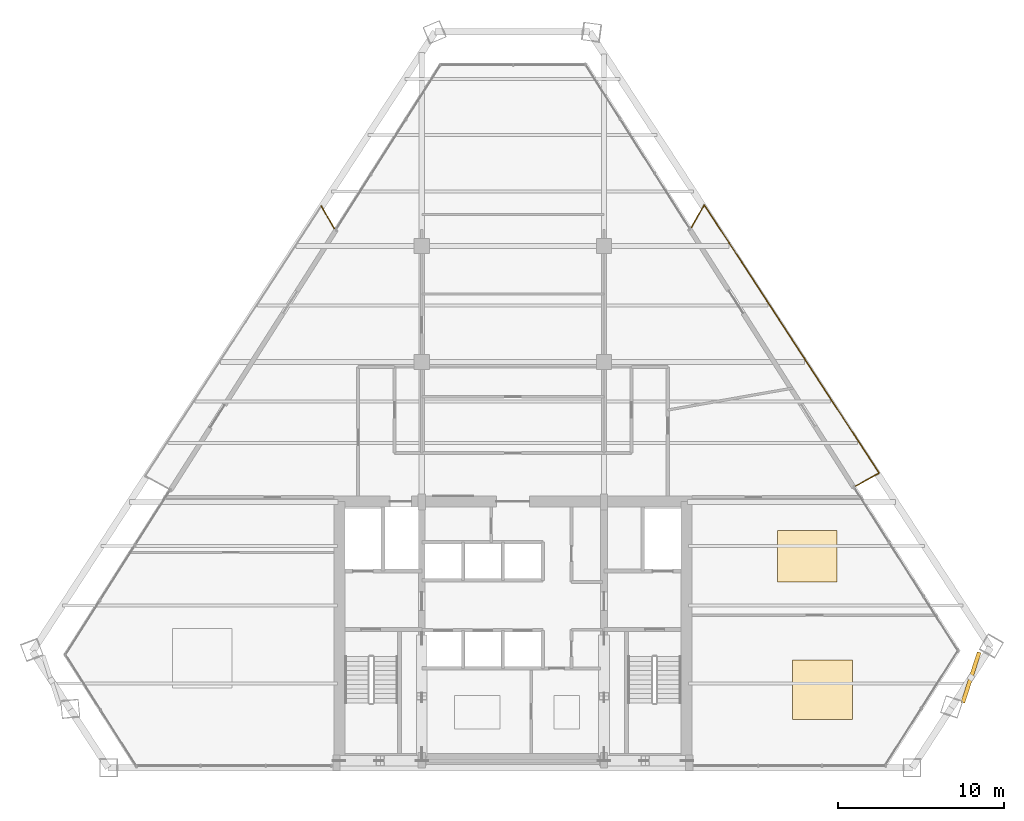
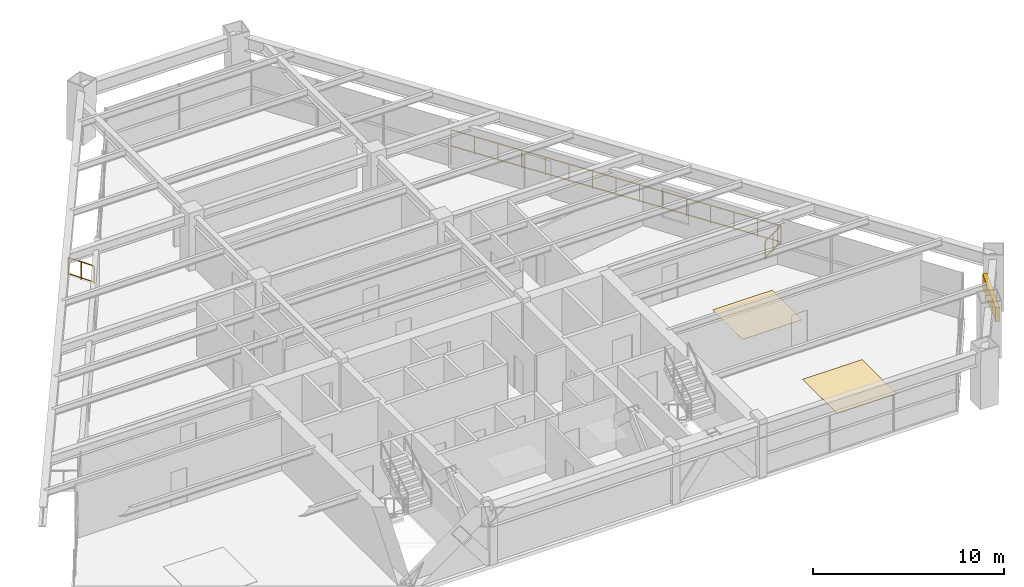
# One storey, part 15 of 15: 4 railings, 2 coverings, 1 shading device.
"""IFC4 building model written with IfcOpenShell, lengths in metres."""

from ifc_helpers import new_model, si_unit, direction, frame, origin, origin_2d, place, context, subcontext, project, spatial, rectangle, extrude, source, transform, mapped, material, layer, layer_set, type_object, type_shapes, element, save


model = new_model("IFC4")

# Units and contexts
model_context = context("Model", 3, precision=1e-05, world=origin(), true_north=direction((0.0, 1.0)))
body_context = subcontext(model_context, "Body", "Model", "MODEL_VIEW")
ifc_project = project(units=[si_unit("LENGTHUNIT", "METRE"), si_unit("AREAUNIT", "SQUARE_METRE"), si_unit("VOLUMEUNIT", "CUBIC_METRE"), si_unit("PLANEANGLEUNIT", "RADIAN"), si_unit("MASSUNIT", "GRAM", prefix="KILO")], contexts=[model_context])

# Site, building, storey
site_placement = place(None, origin())
site = spatial("IfcSite", under=ifc_project, at=site_placement, CompositionType="ELEMENT")
building_placement = place(site_placement, origin())
building = spatial("IfcBuilding", under=site, at=building_placement, Name="Varnakhor Terracotta Tower", CompositionType="ELEMENT")
storey_placement = place(building_placement, frame((0.0, 0.0, 162.60009765625)))
storey = spatial("IfcBuildingStorey", under=building, at=storey_placement, Name="L41", CompositionType="ELEMENT", Elevation=162.60009765625)

# Railings
ifc_material_1 = material(Name="Stainless Steel & Laminated Glass Guardrail", Category="steel")
railing_type = type_object("IfcRailingType", Name="RLG-LOGGIA-GUARD-1150", PredefinedType="GUARDRAIL", material=ifc_material_1)
railing_1_placement = place(storey_placement, frame((10.775634765625, 32.62451171875, 0.0)))
element("IfcRailing", 1, at=railing_1_placement, inside=storey, type_object=railing_type, Name="L41 E Loggia Glass Guard 1", PredefinedType="GUARDRAIL", context=body_context, shape_type="SweptSolid", body=[
    extrude(rectangle(XDim=0.048095703125, YDim=0.048095703125, at=origin_2d()), frame((0.0, 0.0, 1.1259765625), z_axis=(0.496992510097, 0.867754829953, 0.0), x_axis=(-0.867754829953, 0.496992510097, 0.0)), (0.0, 0.0, 1.0), 1.570556640625),
    extrude(rectangle(XDim=0.048095703125, YDim=0.048095703125, at=origin_2d()), frame((0.0, 0.0, 0.10009765625), z_axis=(0.496992510097, 0.867754829953, 0.0), x_axis=(-0.867754829953, 0.496992510097, 0.0)), (0.0, 0.0, 1.0), 1.570556640625),
    extrude(rectangle(XDim=0.0419921875, YDim=0.0419921875, at=origin_2d()), origin(), (0.0, 0.0, 1.0), 1.101806640625),
    extrude(rectangle(XDim=0.0419921875, YDim=0.0419921875, at=origin_2d()), frame((0.39013671875, 0.681396484375, 0.0)), (0.0, 0.0, 1.0), 1.101806640625),
    extrude(rectangle(XDim=0.0419921875, YDim=0.0419921875, at=origin_2d()), frame((0.780517578125, 1.36279296875, 0.0)), (0.0, 0.0, 1.0), 1.101806640625),
])
railing_2_placement = place(storey_placement, frame((11.55615234375, 33.9873046875, 0.0)))
element("IfcRailing", 2, at=railing_2_placement, inside=storey, type_object=railing_type, Name="L41 E Loggia Glass Guard 2", PredefinedType="GUARDRAIL", context=body_context, shape_type="SweptSolid", body=[
    extrude(rectangle(XDim=0.048095703125, YDim=0.048095703125, at=origin_2d()), frame((0.0, 0.0, 1.1259765625), z_axis=(0.545863953191, -0.837873823798, 0.0), x_axis=(0.837873823798, 0.545863953191, 0.0)), (0.0, 0.0, 1.0), 19.329833984375),
    extrude(rectangle(XDim=0.048095703125, YDim=0.048095703125, at=origin_2d()), frame((0.0, 0.0, 0.10009765625), z_axis=(0.545863953191, -0.837873823798, 0.0), x_axis=(0.837873823798, 0.545863953191, 0.0)), (0.0, 0.0, 1.0), 19.329833984375),
    extrude(rectangle(XDim=0.0419921875, YDim=0.0419921875, at=origin_2d()), origin(), (0.0, 0.0, 1.0), 1.101806640625),
    extrude(rectangle(XDim=0.0419921875, YDim=0.0419921875, at=origin_2d()), frame((0.753662109375, -1.15673828125, 0.0)), (0.0, 0.0, 1.0), 1.101806640625),
    extrude(rectangle(XDim=0.0419921875, YDim=0.0419921875, at=origin_2d()), frame((1.50732421875, -2.313720703125, 0.0)), (0.0, 0.0, 1.0), 1.101806640625),
    extrude(rectangle(XDim=0.0419921875, YDim=0.0419921875, at=origin_2d()), frame((2.260986328125, -3.470703125, 0.0)), (0.0, 0.0, 1.0), 1.101806640625),
    extrude(rectangle(XDim=0.0419921875, YDim=0.0419921875, at=origin_2d()), frame((3.0146484375, -4.62744140625, 0.0)), (0.0, 0.0, 1.0), 1.101806640625),
    extrude(rectangle(XDim=0.0419921875, YDim=0.0419921875, at=origin_2d()), frame((3.768310546875, -5.7841796875, 0.0)), (0.0, 0.0, 1.0), 1.101806640625),
    extrude(rectangle(XDim=0.0419921875, YDim=0.0419921875, at=origin_2d()), frame((4.52197265625, -6.941162109375, 0.0)), (0.0, 0.0, 1.0), 1.101806640625),
    extrude(rectangle(XDim=0.0419921875, YDim=0.0419921875, at=origin_2d()), frame((5.27587890625, -8.09814453125, 0.0)), (0.0, 0.0, 1.0), 1.101806640625),
    extrude(rectangle(XDim=0.0419921875, YDim=0.0419921875, at=origin_2d()), frame((6.029541015625, -9.2548828125, 0.0)), (0.0, 0.0, 1.0), 1.101806640625),
    extrude(rectangle(XDim=0.0419921875, YDim=0.0419921875, at=origin_2d()), frame((6.783203125, -10.41162109375, 0.0)), (0.0, 0.0, 1.0), 1.101806640625),
    extrude(rectangle(XDim=0.0419921875, YDim=0.0419921875, at=origin_2d()), frame((7.536865234375, -11.568603515625, 0.0)), (0.0, 0.0, 1.0), 1.101806640625),
    extrude(rectangle(XDim=0.0419921875, YDim=0.0419921875, at=origin_2d()), frame((8.29052734375, -12.7255859375, 0.0)), (0.0, 0.0, 1.0), 1.101806640625),
    extrude(rectangle(XDim=0.0419921875, YDim=0.0419921875, at=origin_2d()), frame((9.044189453125, -13.88232421875, 0.0)), (0.0, 0.0, 1.0), 1.101806640625),
    extrude(rectangle(XDim=0.0419921875, YDim=0.0419921875, at=origin_2d()), frame((9.7978515625, -15.0390625, 0.0)), (0.0, 0.0, 1.0), 1.101806640625),
    extrude(rectangle(XDim=0.0419921875, YDim=0.0419921875, at=origin_2d()), frame((10.551513671875, -16.196044921875, 0.0)), (0.0, 0.0, 1.0), 1.101806640625),
])
railing_3_placement = place(storey_placement, frame((22.107666015625, 17.791259765625, 0.0)))
element("IfcRailing", 3, at=railing_3_placement, inside=storey, type_object=railing_type, Name="L41 E Loggia Glass Guard 3", PredefinedType="GUARDRAIL", context=body_context, shape_type="SweptSolid", body=[
    extrude(rectangle(XDim=0.048095703125, YDim=0.048095703125, at=origin_2d()), frame((0.0, 0.0, 1.1259765625), z_axis=(-0.873349010268, -0.487094966372, 0.0), x_axis=(0.487094966372, -0.873349010268, 0.0)), (0.0, 0.0, 1.0), 1.6123046875),
    extrude(rectangle(XDim=0.048095703125, YDim=0.048095703125, at=origin_2d()), frame((0.0, 0.0, 0.10009765625), z_axis=(-0.873349010268, -0.487094966372, 0.0), x_axis=(0.487094966372, -0.873349010268, 0.0)), (0.0, 0.0, 1.0), 1.6123046875),
    extrude(rectangle(XDim=0.0419921875, YDim=0.0419921875, at=origin_2d()), origin(), (0.0, 0.0, 1.0), 1.101806640625),
    extrude(rectangle(XDim=0.0419921875, YDim=0.0419921875, at=origin_2d()), frame((-0.7041015625, -0.392578125, 0.0)), (0.0, 0.0, 1.0), 1.101806640625),
    extrude(rectangle(XDim=0.0419921875, YDim=0.0419921875, at=origin_2d()), frame((-1.408203125, -0.785400390625, 0.0)), (0.0, 0.0, 1.0), 1.101806640625),
])
railing_4_placement = place(storey_placement, frame((-11.571533203125, 33.920166015625, 0.0)))
element("IfcRailing", 4, at=railing_4_placement, inside=storey, type_object=railing_type, Name="L41 W Loggia Glass Guard 3", PredefinedType="GUARDRAIL", context=body_context, shape_type="SweptSolid", body=[
    extrude(rectangle(XDim=0.048095703125, YDim=0.048095703125, at=origin_2d()), frame((0.0, 0.0, 1.1259765625), z_axis=(0.499067085267, -0.866563352792, 0.0), x_axis=(0.866563352792, 0.499067085267, 0.0)), (0.0, 0.0, 1.0), 1.56982421875),
    extrude(rectangle(XDim=0.048095703125, YDim=0.048095703125, at=origin_2d()), frame((0.0, 0.0, 0.10009765625), z_axis=(0.499067085267, -0.866563352792, 0.0), x_axis=(0.866563352792, 0.499067085267, 0.0)), (0.0, 0.0, 1.0), 1.56982421875),
    extrude(rectangle(XDim=0.0419921875, YDim=0.0419921875, at=origin_2d()), origin(), (0.0, 0.0, 1.0), 1.101806640625),
    extrude(rectangle(XDim=0.0419921875, YDim=0.0419921875, at=origin_2d()), frame((0.3916015625, -0.68017578125, 0.0)), (0.0, 0.0, 1.0), 1.101806640625),
    extrude(rectangle(XDim=0.0419921875, YDim=0.0419921875, at=origin_2d()), frame((0.783447265625, -1.3603515625, 0.0)), (0.0, 0.0, 1.0), 1.101806640625),
])

# Shading device
ifc_material_2 = material(Name="Extruded Architectural Terracotta Screen", Category="masonry")
shading_device_type = type_object("IfcShadingDeviceType", Name="TERRACOTTA SOLAR SCREEN E", PredefinedType="USERDEFINED", material=ifc_material_2)
shared_shape_1 = source(origin(), body_context, "Body", "SweptSolid", [
    extrude(rectangle(XDim=3.199951171875, YDim=0.239990234375, at=origin_2d()), origin(), (0.0, 0.0, 1.0), 0.919921875),
])
type_shapes(shading_device_type, [shared_shape_1])
shading_device_placement = place(storey_placement, frame((27.657470703125, 5.447021484375, 1.639892578125), z_axis=(0.0, 0.0, 1.0), x_axis=(0.309398748021, 0.950932392299, 0.0)))
element("IfcShadingDevice", 5, at=shading_device_placement, inside=storey, type_object=shading_device_type, Name="L41 E Terracotta Solar Screen", ObjectType="SCREEN", PredefinedType="USERDEFINED", context=body_context, shape_type="MappedRepresentation", body=[
    mapped(shared_shape_1, transform((0.0, 0.0, 0.0), scale=1.0)),
])

# Coverings
ifc_material_3 = material(Name="Honed Riyadh Limestone Flooring", Category="masonry")
ifc_layer = layer(ifc_material_3, 0.030029296875, Name="Honed Riyadh Limestone Flooring")
ifc_layer_set = layer_set([ifc_layer], Name="Honed Riyadh Limestone Flooring")
covering_type = type_object("IfcCoveringType", Name="COV-FLOOR-LIMESTONE", PredefinedType="FLOORING", material=ifc_layer_set)
shared_shape_2 = source(origin(), body_context, "Body", "SweptSolid", [
    extrude(rectangle(XDim=3.60009765625, YDim=3.60009765625, at=origin_2d()), origin(), (0.0, 0.0, 1.0), 0.02001953125),
])
covering_1_placement = place(storey_placement, frame((18.69091796875, 4.701904296875, 0.0), z_axis=(0.0, 0.0, 1.0), x_axis=(1.0, 0.0, 0.0)))
element("IfcCovering", 6, at=covering_1_placement, inside=storey, type_object=covering_type, Name="L41 Honed Stone Flooring 3", PredefinedType="FLOORING", context=body_context, shape_type="MappedRepresentation", body=[
    mapped(shared_shape_2, transform((0.0, 0.0, 0.0), scale=1.0)),
])
shared_shape_3 = source(origin(), body_context, "Body", "SweptSolid", [
    extrude(rectangle(XDim=3.60009765625, YDim=3.1220703125, at=origin_2d()), origin(), (0.0, 0.0, 1.0), 0.02001953125),
])
covering_2_placement = place(storey_placement, frame((17.782958984375, 12.763916015625, 0.0), z_axis=(0.0, 0.0, 1.0), x_axis=(1.0, 0.0, 0.0)))
element("IfcCovering", 7, at=covering_2_placement, inside=storey, type_object=covering_type, Name="L41 Honed Stone Flooring 5", PredefinedType="FLOORING", context=body_context, shape_type="MappedRepresentation", body=[
    mapped(shared_shape_3, transform((0.0, 0.0, 0.0), scale=1.0)),
])

save(model, "model.ifc")
